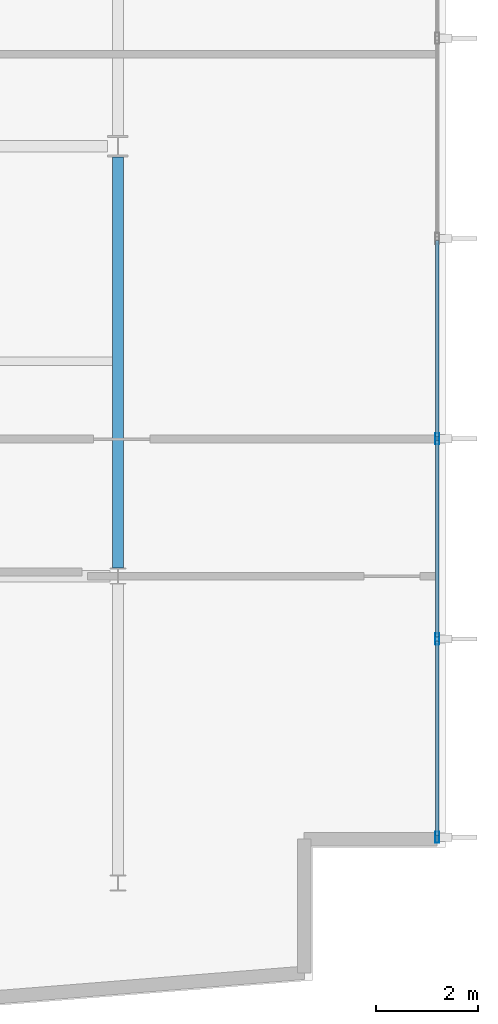
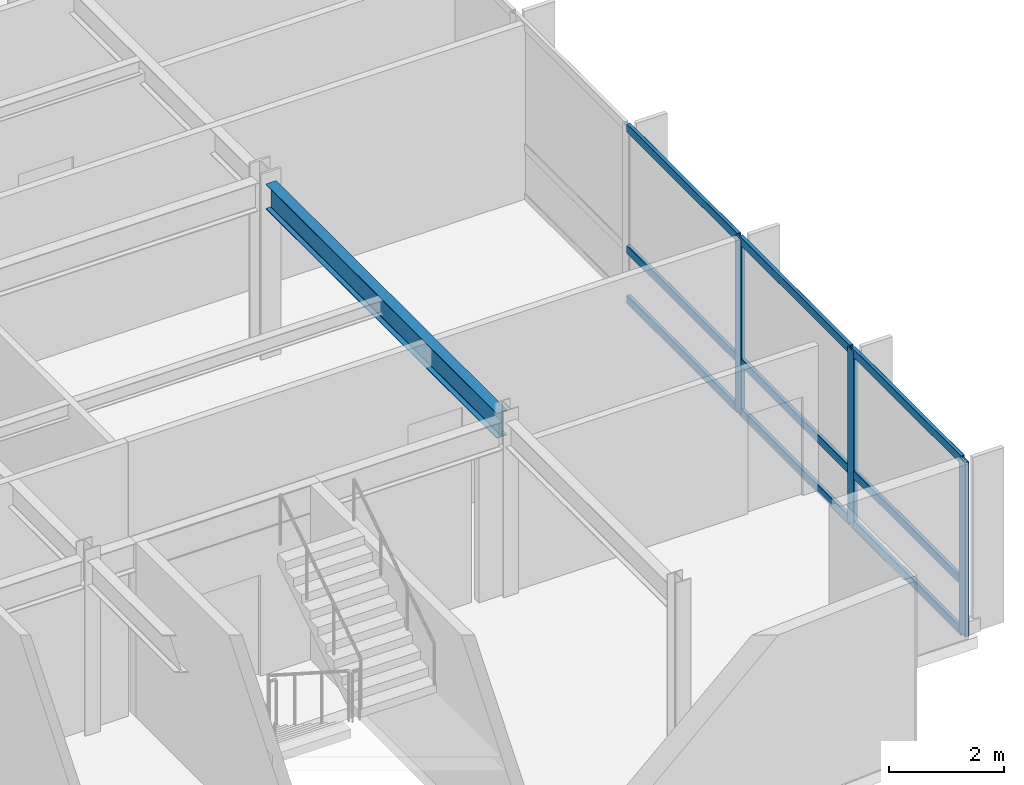
# One storey, part 5 of 16: 12 members, 1 beam, 1 element without a shape of its own.
"""IFC4 building model written with IfcOpenShell, lengths in metres."""

from ifc_helpers import new_model, si_unit, direction, frame, origin, origin_2d, place, context, subcontext, project, spatial, hollow_rectangle, i_section, extrude, material, layer, layer_set, material_profile, profile_set, type_object, element, aggregate, save


model = new_model("IFC4")

# Units and contexts
model_context = context("Model", 3, precision=1e-05, world=origin(), true_north=direction((0.0, 1.0)))
body_context = subcontext(model_context, "Body", "Model", "MODEL_VIEW")
ifc_project = project(units=[si_unit("LENGTHUNIT", "METRE"), si_unit("AREAUNIT", "SQUARE_METRE"), si_unit("VOLUMEUNIT", "CUBIC_METRE"), si_unit("PLANEANGLEUNIT", "RADIAN"), si_unit("MASSUNIT", "GRAM", prefix="KILO")], contexts=[model_context])

# Site, building, storey
site_placement = place(None, origin())
site = spatial("IfcSite", under=ifc_project, at=site_placement, CompositionType="ELEMENT")
building_placement = place(site_placement, origin())
building = spatial("IfcBuilding", under=site, at=building_placement, Name="Varnakote Quay Hospital", CompositionType="ELEMENT")
storey_placement = place(building_placement, frame((0.0, 0.0, 166.550048828125)))
storey = spatial("IfcBuildingStorey", under=building, at=storey_placement, Name="L41", CompositionType="ELEMENT", Elevation=166.550048828125)

# Beam
ifc_material_1 = material(Name="Structural steel AS/NZS 3679.1 Grade 350 L0 (fy 340 MPa)", Category="steel")
ifc_material_profile_1 = material_profile(ifc_material_1, i_section(OverallWidth=0.208984375, OverallDepth=0.532958984375, WebThickness=0.01025390625, FlangeThickness=0.015625, FilletRadius=0.013916015625, at=origin_2d()), Name="530UB92.4")
ifc_profile_set_1 = profile_set([ifc_material_profile_1], Name="Structural steel AS/NZS 3679.1 Grade 350 L0 (fy 340 MPa)")
beam_type = type_object("IfcBeamType", Name="BM-STL-530UB92-4", PredefinedType="BEAM", material=ifc_profile_set_1)
beam_placement = place(storey_placement, frame((50.39990234375, 12.157470703125, 3.443359375), z_axis=(0.0, 1.0, 0.0), x_axis=(-1.0, 0.0, 0.0)))
element("IfcBeam", 1, at=beam_placement, inside=storey, type_object=beam_type, Name="L41 Primary Tie Beam", PredefinedType="BEAM", context=body_context, shape_type="SweptSolid", body=[
    extrude(i_section(OverallWidth=0.208984375, OverallDepth=0.532958984375, WebThickness=0.01025390625, FlangeThickness=0.015625, FilletRadius=0.013916015625, at=origin_2d()), origin(), (0.0, 0.0, 1.0), 8.032470703125),
])

# Curtain wall, members
ifc_material_2 = material(Name="Anodised aluminium 6063-T6 Bronze", Category="aluminium")
ifc_layer = layer(ifc_material_2, 0.205078125)
ifc_layer_set = layer_set([ifc_layer], Name="Anodised aluminium 6063-T6 Bronze")
curtain_wall_type = type_object("IfcCurtainWallType", Name="CW-SYS-3", PredefinedType="NOTDEFINED", material=ifc_layer_set)
curtain_wall_placement = place(storey_placement, origin())
curtain_wall = element("IfcCurtainWall", 2, at=curtain_wall_placement, inside=storey, type_object=curtain_wall_type, Name="L41 Unitised Bronze Curtain Wall 1", PredefinedType="NOTDEFINED")
ifc_material_3 = material(Name="Anodised aluminium 6063-T6 Bronze", Category="aluminium")
ifc_material_profile_2 = material_profile(ifc_material_3, hollow_rectangle(XDim=0.074951171875, YDim=0.219970703125, WallThickness=0.00439453125, InnerFilletRadius=0.00439453125, OuterFilletRadius=0.009033203125, at=origin_2d()), Name="CW-MULL-220x75")
ifc_profile_set_2 = profile_set([ifc_material_profile_2], Name="Anodised aluminium 6063-T6 Bronze")
member_type_1 = type_object("IfcMemberType", Name="CW-MULL-220x75", PredefinedType="MULLION", material=ifc_profile_set_2)
member_1_placement = place(storey_placement, frame((56.639892578125, 6.8974609375, 0.0), z_axis=(0.0, 0.0, 1.0), x_axis=(-1.0, 0.0, 0.0)))
member_1 = element("IfcMember", 3, at=member_1_placement, type_object=member_type_1, Name="-3-L41-1 mullion 1", PredefinedType="MULLION", context=body_context, shape_type="SweptSolid", body=[
    extrude(hollow_rectangle(XDim=0.074951171875, YDim=0.219970703125, WallThickness=0.00439453125, InnerFilletRadius=0.00439453125, OuterFilletRadius=0.009033203125, at=origin_2d()), origin(), (0.0, 0.0, 1.0), 3.7099609375),
])
member_2_placement = place(storey_placement, frame((56.639892578125, 10.7734375, 0.0), z_axis=(0.0, 0.0, 1.0), x_axis=(-1.0, 0.0, 0.0)))
member_2 = element("IfcMember", 4, at=member_2_placement, type_object=member_type_1, Name="-3-L41-1 mullion 2", PredefinedType="MULLION", context=body_context, shape_type="SweptSolid", body=[
    extrude(hollow_rectangle(XDim=0.074951171875, YDim=0.219970703125, WallThickness=0.00439453125, InnerFilletRadius=0.00439453125, OuterFilletRadius=0.009033203125, at=origin_2d()), origin(), (0.0, 0.0, 1.0), 3.7099609375),
])
member_3_placement = place(storey_placement, frame((56.639892578125, 14.686767578125, 0.0), z_axis=(0.0, 0.0, 1.0), x_axis=(-1.0, 0.0, 0.0)))
member_3 = element("IfcMember", 5, at=member_3_placement, type_object=member_type_1, Name="-3-L41-1 mullion 3", PredefinedType="MULLION", context=body_context, shape_type="SweptSolid", body=[
    extrude(hollow_rectangle(XDim=0.074951171875, YDim=0.219970703125, WallThickness=0.00439453125, InnerFilletRadius=0.00439453125, OuterFilletRadius=0.009033203125, at=origin_2d()), origin(), (0.0, 0.0, 1.0), 3.7099609375),
])
ifc_material_4 = material(Name="Anodised aluminium 6063-T6 Bronze", Category="aluminium")
ifc_material_profile_3 = material_profile(ifc_material_4, hollow_rectangle(XDim=0.074951171875, YDim=0.179931640625, WallThickness=0.004150390625, InnerFilletRadius=0.004150390625, OuterFilletRadius=0.00830078125, at=origin_2d()), Name="CW-TRAN-180x75")
ifc_profile_set_3 = profile_set([ifc_material_profile_3], Name="Anodised aluminium 6063-T6 Bronze")
member_type_2 = type_object("IfcMemberType", Name="CW-TRAN-180x75", PredefinedType="USERDEFINED", material=ifc_profile_set_3)
member_4_placement = place(storey_placement, frame((56.639892578125, 6.93505859375, 0.037353515625), z_axis=(0.0, 1.0, 0.0), x_axis=(-1.0, 0.0, 0.0)))
member_4 = element("IfcMember", 6, at=member_4_placement, type_object=member_type_2, Name="-3-L41-1 transom 1.1", ObjectType="TRANSOM", PredefinedType="USERDEFINED", context=body_context, shape_type="SweptSolid", body=[
    extrude(hollow_rectangle(XDim=0.074951171875, YDim=0.179931640625, WallThickness=0.004150390625, InnerFilletRadius=0.004150390625, OuterFilletRadius=0.00830078125, at=origin_2d()), origin(), (0.0, 0.0, 1.0), 3.80078125),
])
member_5_placement = place(storey_placement, frame((56.639892578125, 6.93505859375, 1.099853515625), z_axis=(0.0, 1.0, 0.0), x_axis=(-1.0, 0.0, 0.0)))
member_5 = element("IfcMember", 7, at=member_5_placement, type_object=member_type_2, Name="-3-L41-1 transom 1.2", ObjectType="TRANSOM", PredefinedType="USERDEFINED", context=body_context, shape_type="SweptSolid", body=[
    extrude(hollow_rectangle(XDim=0.074951171875, YDim=0.179931640625, WallThickness=0.004150390625, InnerFilletRadius=0.004150390625, OuterFilletRadius=0.00830078125, at=origin_2d()), origin(), (0.0, 0.0, 1.0), 3.80078125),
])
member_6_placement = place(storey_placement, frame((56.639892578125, 6.93505859375, 3.67236328125), z_axis=(0.0, 1.0, 0.0), x_axis=(-1.0, 0.0, 0.0)))
member_6 = element("IfcMember", 8, at=member_6_placement, type_object=member_type_2, Name="-3-L41-1 transom 1.3", ObjectType="TRANSOM", PredefinedType="USERDEFINED", context=body_context, shape_type="SweptSolid", body=[
    extrude(hollow_rectangle(XDim=0.074951171875, YDim=0.179931640625, WallThickness=0.004150390625, InnerFilletRadius=0.004150390625, OuterFilletRadius=0.00830078125, at=origin_2d()), origin(), (0.0, 0.0, 1.0), 3.80078125),
])
member_7_placement = place(storey_placement, frame((56.639892578125, 10.810791015625, 0.037353515625), z_axis=(0.0, 1.0, 0.0), x_axis=(-1.0, 0.0, 0.0)))
member_7 = element("IfcMember", 9, at=member_7_placement, type_object=member_type_2, Name="-3-L41-1 transom 2.1", ObjectType="TRANSOM", PredefinedType="USERDEFINED", context=body_context, shape_type="SweptSolid", body=[
    extrude(hollow_rectangle(XDim=0.074951171875, YDim=0.179931640625, WallThickness=0.004150390625, InnerFilletRadius=0.004150390625, OuterFilletRadius=0.00830078125, at=origin_2d()), origin(), (0.0, 0.0, 1.0), 3.83837890625),
])
member_8_placement = place(storey_placement, frame((56.639892578125, 10.810791015625, 1.099853515625), z_axis=(0.0, 1.0, 0.0), x_axis=(-1.0, 0.0, 0.0)))
member_8 = element("IfcMember", 10, at=member_8_placement, type_object=member_type_2, Name="-3-L41-1 transom 2.2", ObjectType="TRANSOM", PredefinedType="USERDEFINED", context=body_context, shape_type="SweptSolid", body=[
    extrude(hollow_rectangle(XDim=0.074951171875, YDim=0.179931640625, WallThickness=0.004150390625, InnerFilletRadius=0.004150390625, OuterFilletRadius=0.00830078125, at=origin_2d()), origin(), (0.0, 0.0, 1.0), 3.83837890625),
])
member_9_placement = place(storey_placement, frame((56.639892578125, 10.810791015625, 3.67236328125), z_axis=(0.0, 1.0, 0.0), x_axis=(-1.0, 0.0, 0.0)))
member_9 = element("IfcMember", 11, at=member_9_placement, type_object=member_type_2, Name="-3-L41-1 transom 2.3", ObjectType="TRANSOM", PredefinedType="USERDEFINED", context=body_context, shape_type="SweptSolid", body=[
    extrude(hollow_rectangle(XDim=0.074951171875, YDim=0.179931640625, WallThickness=0.004150390625, InnerFilletRadius=0.004150390625, OuterFilletRadius=0.00830078125, at=origin_2d()), origin(), (0.0, 0.0, 1.0), 3.83837890625),
])
member_10_placement = place(storey_placement, frame((56.639892578125, 14.72412109375, 0.037353515625), z_axis=(0.0, 1.0, 0.0), x_axis=(-1.0, 0.0, 0.0)))
member_10 = element("IfcMember", 12, at=member_10_placement, type_object=member_type_2, Name="-3-L41-1 transom 3.1", ObjectType="TRANSOM", PredefinedType="USERDEFINED", context=body_context, shape_type="SweptSolid", body=[
    extrude(hollow_rectangle(XDim=0.074951171875, YDim=0.179931640625, WallThickness=0.004150390625, InnerFilletRadius=0.004150390625, OuterFilletRadius=0.00830078125, at=origin_2d()), origin(), (0.0, 0.0, 1.0), 3.83837890625),
])
member_11_placement = place(storey_placement, frame((56.639892578125, 14.72412109375, 1.099853515625), z_axis=(0.0, 1.0, 0.0), x_axis=(-1.0, 0.0, 0.0)))
member_11 = element("IfcMember", 13, at=member_11_placement, type_object=member_type_2, Name="-3-L41-1 transom 3.2", ObjectType="TRANSOM", PredefinedType="USERDEFINED", context=body_context, shape_type="SweptSolid", body=[
    extrude(hollow_rectangle(XDim=0.074951171875, YDim=0.179931640625, WallThickness=0.004150390625, InnerFilletRadius=0.004150390625, OuterFilletRadius=0.00830078125, at=origin_2d()), origin(), (0.0, 0.0, 1.0), 3.83837890625),
])
member_12_placement = place(storey_placement, frame((56.639892578125, 14.72412109375, 3.67236328125), z_axis=(0.0, 1.0, 0.0), x_axis=(-1.0, 0.0, 0.0)))
member_12 = element("IfcMember", 14, at=member_12_placement, type_object=member_type_2, Name="-3-L41-1 transom 3.3", ObjectType="TRANSOM", PredefinedType="USERDEFINED", context=body_context, shape_type="SweptSolid", body=[
    extrude(hollow_rectangle(XDim=0.074951171875, YDim=0.179931640625, WallThickness=0.004150390625, InnerFilletRadius=0.004150390625, OuterFilletRadius=0.00830078125, at=origin_2d()), origin(), (0.0, 0.0, 1.0), 3.83837890625),
])
aggregate(curtain_wall, [member_1, member_2, member_3, member_4, member_5, member_6, member_7, member_8, member_9, member_10, member_11, member_12])

save(model, "model.ifc")
